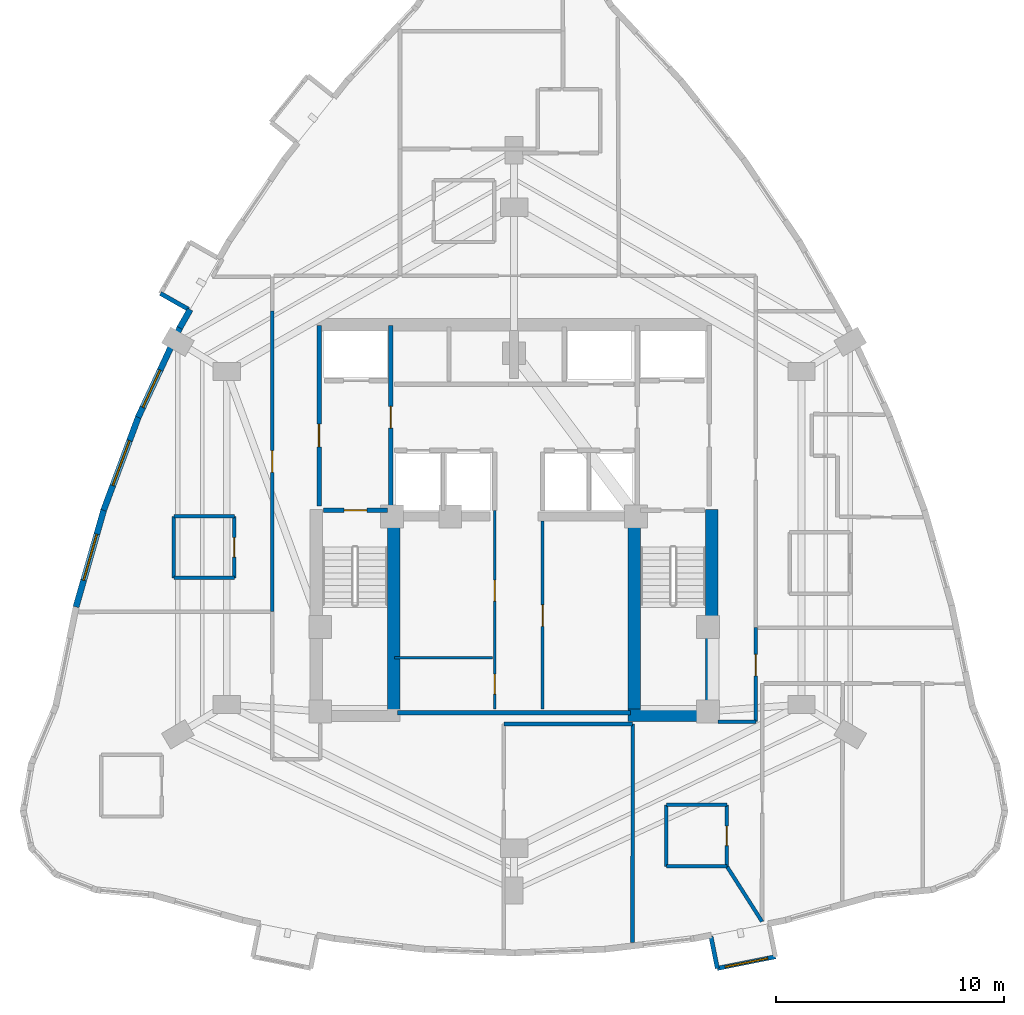
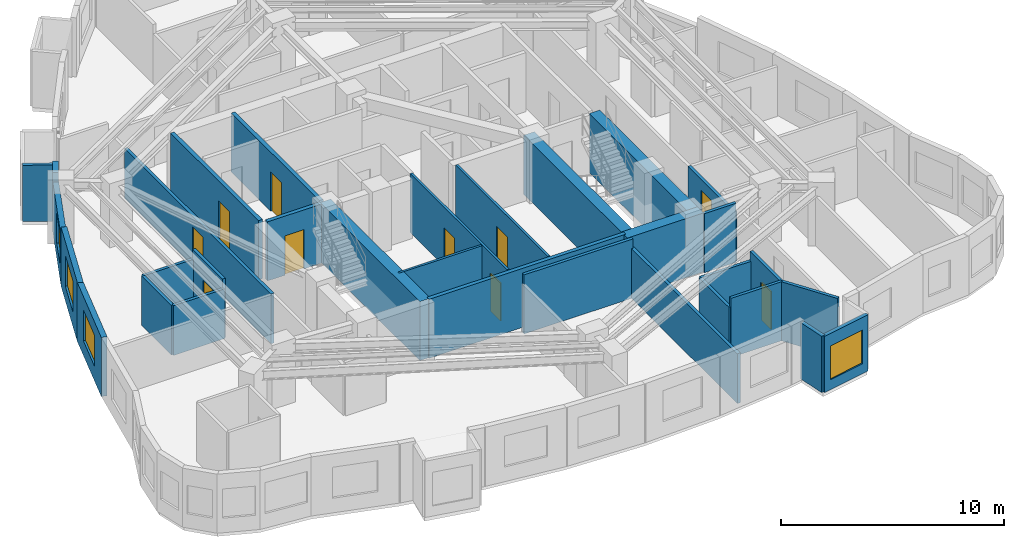
# One storey, part 7 of 12: 32 walls, 10 doors, 4 windows, 14 openings.
"""IFC4 building model written with IfcOpenShell, lengths in metres."""

from ifc_helpers import new_model, si_unit, direction, frame, frame_2d, origin, place, context, subcontext, project, spatial, rectangle, extrude, material, layer, layer_set, type_object, element, fill, save


model = new_model("IFC4")

# Units and contexts
model_context = context("Model", 3, precision=1e-05, world=origin(), true_north=direction((0.0, 1.0)))
body_context = subcontext(model_context, "Body", "Model", "MODEL_VIEW")
ifc_project = project(units=[si_unit("LENGTHUNIT", "METRE"), si_unit("AREAUNIT", "SQUARE_METRE"), si_unit("VOLUMEUNIT", "CUBIC_METRE"), si_unit("PLANEANGLEUNIT", "RADIAN"), si_unit("MASSUNIT", "GRAM", prefix="KILO")], contexts=[model_context])

# Site, building, storey
site_placement = place(None, origin())
site = spatial("IfcSite", under=ifc_project, at=site_placement, CompositionType="ELEMENT")
building_placement = place(site_placement, origin())
building = spatial("IfcBuilding", under=site, at=building_placement, Name="Miruveldt Soraemaru", CompositionType="ELEMENT")
storey_placement = place(building_placement, frame((0.0, 0.0, 145.89990234375)))
storey = spatial("IfcBuildingStorey", under=building, at=storey_placement, Name="L40", CompositionType="ELEMENT", Elevation=145.89990234375)

# Walls
ifc_material_1 = material(Name="White powder-coated aluminium EN AW-6060 T6", Category="aluminium")
ifc_layer_1 = layer(ifc_material_1, 0.18994140625, Name="White powder-coated aluminium EN AW-6060 T6", Category="aluminium")
ifc_layer_set_1 = layer_set([ifc_layer_1], Name="White powder-coated aluminium EN AW-6060 T6")
wall_type_1 = type_object("IfcWallType", Name="WALL-BAY-ALU190", PredefinedType="SOLIDWALL", material=ifc_layer_set_1)
for number, where, z_axis, x_axis, name in (
    (1, (28.497314453125, 53.82421875, 0.0), (0.0, 0.0, 1.0), (0.869799191674, -0.493405883794, 0.0), "L40 Bay Window Side Cheek 1R"),
    (2, (52.6318359375, 25.630859375, 0.0), (0.0, 0.0, 1.0), (0.196149079112, -0.980574086321, 0.0), "L40 Bay Window Side Cheek 3L"),
):
    element("IfcWall", number, at=place(storey_placement, frame(where, z_axis=z_axis, x_axis=x_axis)), inside=storey, type_object=wall_type_1, Name=name, PredefinedType="SOLIDWALL", context=body_context, shape_type="SweptSolid", body=[
        extrude(rectangle(XDim=1.425048828125, YDim=0.18994140625, at=frame_2d((0.71240234375, 0.0))), origin(), (0.0, 0.0, 1.0), 3.085205078125),
    ])

# Wall, opening, window
wall_1_placement = place(storey_placement, frame((52.911376953125, 24.2333984375, 0.0), z_axis=(0.0, 0.0, 1.0), x_axis=(0.980573452128, 0.196152249497, 0.0)))
wall_1 = element("IfcWall", 3, at=wall_1_placement, inside=storey, type_object=wall_type_1, Name="L40 Bay Window Front Frame 3", PredefinedType="SOLIDWALL", context=body_context, shape_type="SweptSolid", body=[
    extrude(rectangle(XDim=2.60009765625, YDim=0.18994140625, at=frame_2d((1.300048828125, 0.0))), origin(), (0.0, 0.0, 1.0), 3.085205078125),
])
opening_1_placement = place(wall_1_placement, frame((0.35009765625, 0.0, 0.550048828125)))
opening_1 = element("IfcOpeningElement", 4, at=opening_1_placement, cuts=wall_1, Name="Opening WN-6", PredefinedType="OPENING", context=body_context, shape_type="SweptSolid", body=[
    extrude(rectangle(XDim=1.89990234375, YDim=1.85009765625, at=frame_2d((0.949951171875, 0.925048828125))), frame((0.0, 0.10498046875, 0.0), z_axis=(0.0, -1.0, 0.0), x_axis=(1.0, 0.0, 0.0)), (0.0, 0.0, 1.0), 0.2099609375),
])
ifc_material_2 = material(Name="Triple low-e insulated glazing", Category="glass")
window_type_1 = type_object("IfcWindowType", Name="WIN-BAYW-1900x1850", PartitioningType="SINGLE_PANEL", PredefinedType="WINDOW", material=ifc_material_2)
window_1_placement = place(opening_1_placement, origin())
window_1 = element("IfcWindow", 5, at=window_1_placement, inside=storey, type_object=window_type_1, Name="L40 Projecting Bay Window 3", OverallHeight=1.85009765625, OverallWidth=1.89990234375, PartitioningType="SINGLE_PANEL", PredefinedType="WINDOW", context=body_context, shape_type="SweptSolid", body=[
    extrude(rectangle(XDim=1.89990234375, YDim=1.85009765625, at=frame_2d((0.949951171875, 0.925048828125))), frame((0.0, 0.030029296875, 0.0), z_axis=(0.0, -1.0, 0.0), x_axis=(1.0, 0.0, 0.0)), (0.0, 0.0, 1.0), 0.06005859375),
])
fill(opening_1, window_1)

# Walls
ifc_material_3 = material(Name="Concrete C70/85 (70 MPa)", Category="concrete")
ifc_layer_2 = layer(ifc_material_3, 0.550048828125, Name="Concrete C70/85 (70 MPa)", Category="concrete")
ifc_layer_set_2 = layer_set([ifc_layer_2], Name="Concrete C70/85 (70 MPa)")
wall_type_2 = type_object("IfcWallType", Name="WALL-CW-550", PredefinedType="SHEAR", material=ifc_layer_set_2)
wall_2_placement = place(storey_placement, frame((49.0, 35.324951171875, 0.0), z_axis=(0.0, 0.0, 1.0), x_axis=(1.0, 0.0, 0.0)))
element("IfcWall", 6, at=wall_2_placement, inside=storey, type_object=wall_type_2, Name="L40 Central Core Shear Wall S2", PredefinedType="SHEAR", context=body_context, shape_type="SweptSolid", body=[
    extrude(rectangle(XDim=3.949951171875, YDim=0.550048828125, at=frame_2d((1.97509765625, 0.0))), origin(), (0.0, 0.0, 1.0), 3.235107421875),
])
wall_3_placement = place(storey_placement, frame((52.675048828125, 35.050048828125, 0.0), z_axis=(0.0, 0.0, 1.0), x_axis=(0.0, 1.0, 0.0)))
element("IfcWall", 7, at=wall_3_placement, inside=storey, type_object=wall_type_2, Name="L40 Central Core Shear Wall E1", PredefinedType="SHEAR", context=body_context, shape_type="SweptSolid", body=[
    extrude(rectangle(XDim=9.300048828125, YDim=0.550048828125, at=frame_2d((4.64990234375, 0.0))), origin(), (0.0, 0.0, 1.0), 3.235107421875),
])
for number, where, z_axis, x_axis, name in (
    (8, (38.72509765625, 35.39990234375, 0.0), (0.0, 0.0, 1.0), (0.0, 1.0, 0.0), "L40 Central Core Shear Wall SW-INT"),
    (9, (49.27490234375, 35.39990234375, 0.0), (0.0, 0.0, 1.0), (0.0, 1.0, 0.0), "L40 Central Core Shear Wall SE-INT"),
):
    element("IfcWall", number, at=place(storey_placement, frame(where, z_axis=z_axis, x_axis=x_axis)), inside=storey, type_object=wall_type_2, Name=name, PredefinedType="SHEAR", context=body_context, shape_type="SweptSolid", body=[
        extrude(rectangle(XDim=8.9501953125, YDim=0.550048828125, at=frame_2d((4.47509765625, 0.0))), origin(), (0.0, 0.0, 1.0), 3.235107421875),
    ])
ifc_material_4 = material(Name="Precast concrete C45/55 (45 MPa)", Category="concrete")
ifc_layer_3 = layer(ifc_material_4, 0.27001953125, Name="Precast concrete C45/55 (45 MPa)", Category="concrete")
ifc_layer_set_3 = layer_set([ifc_layer_3], Name="Precast concrete C45/55 (45 MPa)")
wall_type_3 = type_object("IfcWallType", Name="WALL-EXT-PC270", PredefinedType="SOLIDWALL", material=ifc_layer_set_3)
wall_4_placement = place(storey_placement, frame((29.79931640625, 53.1201171875, 0.0), z_axis=(0.0, 0.0, 1.0), x_axis=(-0.493298443783, -0.869860129769, 0.0)))
element("IfcWall", 10, at=wall_4_placement, inside=storey, type_object=wall_type_3, Name="L40 Precast Pier Wall 10B", PredefinedType="SOLIDWALL", context=body_context, shape_type="SweptSolid", body=[
    extrude(rectangle(XDim=0.926513671875, YDim=0.27001953125, at=frame_2d((0.46337890625, 0.0))), origin(), (0.0, 0.0, 1.0), 3.235107421875),
])

# Wall, opening, window
wall_5_placement = place(storey_placement, frame((29.374267578125, 52.37646484375, 0.0), z_axis=(0.0, 0.0, 1.0), x_axis=(-0.422276858634, -0.906466907649, 0.0)))
wall_5 = element("IfcWall", 11, at=wall_5_placement, inside=storey, type_object=wall_type_3, Name="L40 Precast Concrete Facade Wall 11", PredefinedType="SOLIDWALL", context=body_context, shape_type="SweptSolid", body=[
    extrude(rectangle(XDim=4.392822265625, YDim=0.27001953125, at=frame_2d((2.1962890625, 0.0))), origin(), (0.0, 0.0, 1.0), 2.735107421875),
])
opening_2_placement = place(wall_5_placement, frame((2.110107421875, 0.0, 0.800048828125)))
opening_2 = element("IfcOpeningElement", 12, at=opening_2_placement, cuts=wall_5, Name="Opening WN-2", PredefinedType="OPENING", context=body_context, shape_type="SweptSolid", body=[
    extrude(rectangle(XDim=1.800048828125, YDim=1.64990234375, at=frame_2d((0.89990234375, 0.824951171875))), frame((0.0, 0.14501953125, 0.0), z_axis=(0.0, -1.0, 0.0), x_axis=(1.0, 0.0, 0.0)), (0.0, 0.0, 1.0), 0.2900390625),
])
window_type_2 = type_object("IfcWindowType", Name="WIN-PUNCH-1800x1650", PartitioningType="SINGLE_PANEL", PredefinedType="WINDOW", material=ifc_material_2)
window_2_placement = place(opening_2_placement, origin())
window_2 = element("IfcWindow", 13, at=window_2_placement, inside=storey, type_object=window_type_2, Name="L40 Punched Triple-Glazed Window 11.1", OverallHeight=1.64990234375, OverallWidth=1.800048828125, PartitioningType="SINGLE_PANEL", PredefinedType="WINDOW", context=body_context, shape_type="SweptSolid", body=[
    extrude(rectangle(XDim=1.800048828125, YDim=1.64990234375, at=frame_2d((0.89990234375, 0.824951171875))), frame((0.0, 0.030029296875, 0.0), z_axis=(0.0, -1.0, 0.0), x_axis=(1.0, 0.0, 0.0)), (0.0, 0.0, 1.0), 0.06005859375),
])
fill(opening_2, window_2)

wall_6_placement = place(storey_placement, frame((27.546142578125, 48.458984375, 0.0), z_axis=(0.0, 0.0, 1.0), x_axis=(-0.348992055051, -0.937125682879, 0.0)))
wall_6 = element("IfcWall", 14, at=wall_6_placement, inside=storey, type_object=wall_type_3, Name="L40 Precast Concrete Facade Wall 12", PredefinedType="SOLIDWALL", context=body_context, shape_type="SweptSolid", body=[
    extrude(rectangle(XDim=4.42041015625, YDim=0.27001953125, at=frame_2d((2.210205078125, 0.0))), origin(), (0.0, 0.0, 1.0), 3.235107421875),
])
opening_3_placement = place(wall_6_placement, frame((1.159912109375, 0.0, 0.800048828125)))
opening_3 = element("IfcOpeningElement", 15, at=opening_3_placement, cuts=wall_6, Name="Opening WN-1", PredefinedType="OPENING", context=body_context, shape_type="SweptSolid", body=[
    extrude(rectangle(XDim=2.10009765625, YDim=1.699951171875, at=frame_2d((1.050048828125, 0.85009765625))), frame((0.0, 0.14501953125, 0.0), z_axis=(0.0, -1.0, 0.0), x_axis=(1.0, 0.0, 0.0)), (0.0, 0.0, 1.0), 0.2900390625),
])
window_type_3 = type_object("IfcWindowType", Name="WIN-PUNCH-2100x1700", PartitioningType="SINGLE_PANEL", PredefinedType="WINDOW", material=ifc_material_2)
window_3_placement = place(opening_3_placement, origin())
window_3 = element("IfcWindow", 16, at=window_3_placement, inside=storey, type_object=window_type_3, Name="L40 Punched Triple-Glazed Window 12.1", OverallHeight=1.699951171875, OverallWidth=2.10009765625, PartitioningType="SINGLE_PANEL", PredefinedType="WINDOW", context=body_context, shape_type="SweptSolid", body=[
    extrude(rectangle(XDim=2.10009765625, YDim=1.699951171875, at=frame_2d((1.050048828125, 0.85009765625))), frame((0.0, 0.030029296875, 0.0), z_axis=(0.0, -1.0, 0.0), x_axis=(1.0, 0.0, 0.0)), (0.0, 0.0, 1.0), 0.06005859375),
])
fill(opening_3, window_3)

wall_7_placement = place(storey_placement, frame((26.025146484375, 44.383056640625, 0.0), z_axis=(0.0, 0.0, 1.0), x_axis=(-0.274951687452, -0.961458043581, 0.0)))
wall_7 = element("IfcWall", 17, at=wall_7_placement, inside=storey, type_object=wall_type_3, Name="L40 Precast Concrete Facade Wall 13", PredefinedType="SOLIDWALL", context=body_context, shape_type="SweptSolid", body=[
    extrude(rectangle(XDim=4.47509765625, YDim=0.27001953125, at=frame_2d((2.237548828125, 0.0))), origin(), (0.0, 0.0, 1.0), 3.235107421875),
])
opening_4_placement = place(wall_7_placement, frame((1.157958984375, 0.0, 0.800048828125)))
opening_4 = element("IfcOpeningElement", 18, at=opening_4_placement, cuts=wall_7, Name="Opening WN-1", PredefinedType="OPENING", context=body_context, shape_type="SweptSolid", body=[
    extrude(rectangle(XDim=2.10009765625, YDim=1.699951171875, at=frame_2d((1.050048828125, 0.85009765625))), frame((0.0, 0.14501953125, 0.0), z_axis=(0.0, -1.0, 0.0), x_axis=(1.0, 0.0, 0.0)), (0.0, 0.0, 1.0), 0.2900390625),
])
window_4_placement = place(opening_4_placement, origin())
window_4 = element("IfcWindow", 19, at=window_4_placement, inside=storey, type_object=window_type_3, Name="L40 Punched Triple-Glazed Window 13.1", OverallHeight=1.699951171875, OverallWidth=2.10009765625, PartitioningType="SINGLE_PANEL", PredefinedType="WINDOW", context=body_context, shape_type="SweptSolid", body=[
    extrude(rectangle(XDim=2.10009765625, YDim=1.699951171875, at=frame_2d((1.050048828125, 0.85009765625))), frame((0.0, 0.030029296875, 0.0), z_axis=(0.0, -1.0, 0.0), x_axis=(1.0, 0.0, 0.0)), (0.0, 0.0, 1.0), 0.06005859375),
])
fill(opening_4, window_4)

# Wall, openings, doors
ifc_material_5 = material(Name="Gypsum plasterboard lining", Category="gypsum")
ifc_layer_4 = layer(ifc_material_5, 0.1201171875, Name="Gypsum plasterboard lining", Category="gypsum")
ifc_layer_set_4 = layer_set([ifc_layer_4], Name="Gypsum plasterboard lining")
wall_type_4 = type_object("IfcWallType", Name="WALL-INT-P120", PredefinedType="PARTITIONING", material=ifc_layer_set_4)
wall_8_placement = place(storey_placement, frame((43.14990234375, 35.60009765625, 0.0), z_axis=(0.0, 0.0, 1.0), x_axis=(0.0, 1.0, 0.0)))
wall_8 = element("IfcWall", 20, at=wall_8_placement, inside=storey, type_object=wall_type_4, Name="L40 Core Compartment Wall SP-WL", PredefinedType="PARTITIONING", context=body_context, shape_type="SweptSolid", body=[
    extrude(rectangle(XDim=8.699951171875, YDim=0.1201171875, at=frame_2d((4.35009765625, 0.0))), origin(), (0.0, 0.0, 1.0), 3.235107421875),
])
opening_5_placement = place(wall_8_placement, frame((0.659912109375, 0.0, 0.0)))
opening_5 = element("IfcOpeningElement", 21, at=opening_5_placement, cuts=wall_8, Name="Opening D4", PredefinedType="OPENING", context=body_context, shape_type="SweptSolid", body=[
    extrude(rectangle(XDim=0.8798828125, YDim=2.10009765625, at=frame_2d((0.43994140625, 1.050048828125))), frame((0.0, 0.070068359375, 0.0), z_axis=(0.0, -1.0, 0.0), x_axis=(1.0, 0.0, 0.0)), (0.0, 0.0, 1.0), 0.14013671875),
])
opening_6_placement = place(wall_8_placement, frame((4.739990234375, 0.0, 0.0)))
opening_6 = element("IfcOpeningElement", 22, at=opening_6_placement, cuts=wall_8, Name="Opening D3A", PredefinedType="OPENING", context=body_context, shape_type="SweptSolid", body=[
    extrude(rectangle(XDim=0.919921875, YDim=2.10009765625, at=frame_2d((0.4599609375, 1.050048828125))), frame((0.0, 0.070068359375, 0.0), z_axis=(0.0, -1.0, 0.0), x_axis=(1.0, 0.0, 0.0)), (0.0, 0.0, 1.0), 0.14013671875),
])
ifc_material_6 = material(Name="Anodised aluminium EN AW-6063 T6", Category="aluminium")
door_type_1 = type_object("IfcDoorType", Name="DOOR-INT-880", OperationType="NOTDEFINED", PredefinedType="DOOR", material=ifc_material_6)
door_1_placement = place(opening_5_placement, origin())
door_1 = element("IfcDoor", 23, at=door_1_placement, inside=storey, type_object=door_type_1, Name="L40 Fire Door", OperationType="SINGLE_SWING_LEFT", OverallHeight=2.10009765625, OverallWidth=0.8798828125, PredefinedType="DOOR", context=body_context, shape_type="SweptSolid", body=[
    extrude(rectangle(XDim=0.8798828125, YDim=2.10009765625, at=frame_2d((0.43994140625, 1.050048828125))), frame((0.0, 0.02490234375, 0.0), z_axis=(0.0, -1.0, 0.0), x_axis=(1.0, 0.0, 0.0)), (0.0, 0.0, 1.0), 0.050048828125),
])
fill(opening_5, door_1)
door_type_2 = type_object("IfcDoorType", Name="DOOR-INT-920", OperationType="NOTDEFINED", PredefinedType="DOOR", material=ifc_material_6)
door_2_placement = place(opening_6_placement, origin())
door_2 = element("IfcDoor", 24, at=door_2_placement, inside=storey, type_object=door_type_2, Name="L40 Fire Door", OperationType="SINGLE_SWING_LEFT", OverallHeight=2.10009765625, OverallWidth=0.919921875, PredefinedType="DOOR", context=body_context, shape_type="SweptSolid", body=[
    extrude(rectangle(XDim=0.919921875, YDim=2.10009765625, at=frame_2d((0.4599609375, 1.050048828125))), frame((0.0, 0.02490234375, 0.0), z_axis=(0.0, -1.0, 0.0), x_axis=(1.0, 0.0, 0.0)), (0.0, 0.0, 1.0), 0.050048828125),
])
fill(opening_6, door_2)

# Wall, opening, door
wall_9_placement = place(storey_placement, frame((45.25, 35.60009765625, 0.0), z_axis=(0.0, 0.0, 1.0), x_axis=(0.0, 1.0, 0.0)))
wall_9 = element("IfcWall", 25, at=wall_9_placement, inside=storey, type_object=wall_type_4, Name="L40 Core Compartment Wall SP-EL", PredefinedType="PARTITIONING", context=body_context, shape_type="SweptSolid", body=[
    extrude(rectangle(XDim=8.25, YDim=0.1201171875, at=frame_2d((4.125, 0.0))), origin(), (0.0, 0.0, 1.0), 3.235107421875),
])
opening_7_placement = place(wall_9_placement, frame((3.625, 0.0, 0.0)))
opening_7 = element("IfcOpeningElement", 26, at=opening_7_placement, cuts=wall_9, Name="Opening D2", PredefinedType="OPENING", context=body_context, shape_type="SweptSolid", body=[
    extrude(rectangle(XDim=0.949951171875, YDim=2.10009765625, at=frame_2d((0.47509765625, 1.050048828125))), frame((0.0, 0.070068359375, 0.0), z_axis=(0.0, -1.0, 0.0), x_axis=(1.0, 0.0, 0.0)), (0.0, 0.0, 1.0), 0.14013671875),
])
door_type_3 = type_object("IfcDoorType", Name="DOOR-INT-950", OperationType="NOTDEFINED", PredefinedType="DOOR", material=ifc_material_6)
door_3_placement = place(opening_7_placement, origin())
door_3 = element("IfcDoor", 27, at=door_3_placement, inside=storey, type_object=door_type_3, Name="L40 Fire Door", OperationType="SINGLE_SWING_LEFT", OverallHeight=2.10009765625, OverallWidth=0.949951171875, PredefinedType="DOOR", context=body_context, shape_type="SweptSolid", body=[
    extrude(rectangle(XDim=0.949951171875, YDim=2.10009765625, at=frame_2d((0.47509765625, 1.050048828125))), frame((0.0, 0.02490234375, 0.0), z_axis=(0.0, -1.0, 0.0), x_axis=(1.0, 0.0, 0.0)), (0.0, 0.0, 1.0), 0.050048828125),
])
fill(opening_7, door_3)

# Wall
wall_10_placement = place(storey_placement, frame((38.75, 37.85009765625, 0.0), z_axis=(0.0, 0.0, 1.0), x_axis=(1.0, 0.0, 0.0)))
element("IfcWall", 28, at=wall_10_placement, inside=storey, type_object=wall_type_4, Name="L40 Core Compartment Wall RL-W1H", PredefinedType="PARTITIONING", context=body_context, shape_type="SweptSolid", body=[
    extrude(rectangle(XDim=4.300048828125, YDim=0.1201171875, at=frame_2d((2.14990234375, 0.0))), origin(), (0.0, 0.0, 1.0), 3.235107421875),
])

# Wall, opening, door
ifc_layer_5 = layer(ifc_material_5, 0.14990234375, Name="Gypsum plasterboard lining", Category="gypsum")
ifc_layer_set_5 = layer_set([ifc_layer_5], Name="Gypsum plasterboard lining")
wall_type_5 = type_object("IfcWallType", Name="WALL-INT-PLUMB", PredefinedType="PLUMBINGWALL", material=ifc_layer_set_5)
wall_11_placement = place(storey_placement, frame((31.737060546875, 41.35498046875, 0.0), z_axis=(0.0, 0.0, 1.0), x_axis=(0.0, 1.0, 0.0)))
wall_11 = element("IfcWall", 29, at=wall_11_placement, inside=storey, type_object=wall_type_5, Name="L40 Partition Wall 38", PredefinedType="PLUMBINGWALL", context=body_context, shape_type="SweptSolid", body=[
    extrude(rectangle(XDim=2.699951171875, YDim=0.14990234375, at=frame_2d((1.35009765625, 0.0))), origin(), (0.0, 0.0, 1.0), 3.235107421875),
])
opening_8_placement = place(wall_11_placement, frame((0.909912109375, 0.0, 0.0)))
opening_8 = element("IfcOpeningElement", 30, at=opening_8_placement, cuts=wall_11, Name="Opening FD3", PredefinedType="OPENING", context=body_context, shape_type="SweptSolid", body=[
    extrude(rectangle(XDim=0.85009765625, YDim=2.10009765625, at=frame_2d((0.425048828125, 1.050048828125))), frame((0.0, 0.0849609375, 0.0), z_axis=(0.0, -1.0, 0.0), x_axis=(1.0, 0.0, 0.0)), (0.0, 0.0, 1.0), 0.169921875),
])
door_type_4 = type_object("IfcDoorType", Name="DOOR-FD3-850", OperationType="NOTDEFINED", PredefinedType="DOOR", material=ifc_material_6)
door_4_placement = place(opening_8_placement, origin())
door_4 = element("IfcDoor", 31, at=door_4_placement, inside=storey, type_object=door_type_4, Name="L40 Unit CL05 BTH Door", OperationType="SINGLE_SWING_LEFT", OverallHeight=2.10009765625, OverallWidth=0.85009765625, PredefinedType="DOOR", context=body_context, shape_type="SweptSolid", body=[
    extrude(rectangle(XDim=0.85009765625, YDim=2.10009765625, at=frame_2d((0.425048828125, 1.050048828125))), frame((0.0, 0.02490234375, 0.0), z_axis=(0.0, -1.0, 0.0), x_axis=(1.0, 0.0, 0.0)), (0.0, 0.0, 1.0), 0.050048828125),
])
fill(opening_8, door_4)

wall_12_placement = place(storey_placement, frame((53.330078125, 28.70703125, 0.0), z_axis=(0.0, 0.0, 1.0), x_axis=(0.0, 1.0, 0.0)))
wall_12 = element("IfcWall", 32, at=wall_12_placement, inside=storey, type_object=wall_type_5, Name="L40 Partition Wall 42", PredefinedType="PLUMBINGWALL", context=body_context, shape_type="SweptSolid", body=[
    extrude(rectangle(XDim=2.699951171875, YDim=0.14990234375, at=frame_2d((1.35009765625, 0.0))), origin(), (0.0, 0.0, 1.0), 3.235107421875),
])
opening_9_placement = place(wall_12_placement, frame((0.909912109375, 0.0, 0.0)))
opening_9 = element("IfcOpeningElement", 33, at=opening_9_placement, cuts=wall_12, Name="Opening FD3", PredefinedType="OPENING", context=body_context, shape_type="SweptSolid", body=[
    extrude(rectangle(XDim=0.85009765625, YDim=2.10009765625, at=frame_2d((0.425048828125, 1.050048828125))), frame((0.0, 0.0849609375, 0.0), z_axis=(0.0, -1.0, 0.0), x_axis=(1.0, 0.0, 0.0)), (0.0, 0.0, 1.0), 0.169921875),
])
door_5_placement = place(opening_9_placement, origin())
door_5 = element("IfcDoor", 34, at=door_5_placement, inside=storey, type_object=door_type_4, Name="L40 Unit 4006 BTH Door", OperationType="SINGLE_SWING_LEFT", OverallHeight=2.10009765625, OverallWidth=0.85009765625, PredefinedType="DOOR", context=body_context, shape_type="SweptSolid", body=[
    extrude(rectangle(XDim=0.85009765625, YDim=2.10009765625, at=frame_2d((0.425048828125, 1.050048828125))), frame((0.0, 0.02490234375, 0.0), z_axis=(0.0, -1.0, 0.0), x_axis=(1.0, 0.0, 0.0)), (0.0, 0.0, 1.0), 0.050048828125),
])
fill(opening_9, door_5)

# Walls
for number, where, z_axis, x_axis, name in (
    (35, (29.0869140625, 44.054931640625, 0.0), (0.0, 0.0, 1.0), (0.0, -1.0, 0.0), "L40 Partition Wall 40"),
    (36, (50.679931640625, 31.406982421875, 0.0), (0.0, 0.0, 1.0), (0.0, -1.0, 0.0), "L40 Partition Wall 44"),
):
    element("IfcWall", number, at=place(storey_placement, frame(where, z_axis=z_axis, x_axis=x_axis)), inside=storey, type_object=wall_type_5, Name=name, PredefinedType="PLUMBINGWALL", context=body_context, shape_type="SweptSolid", body=[
        extrude(rectangle(XDim=2.699951171875, YDim=0.14990234375, at=frame_2d((1.35009765625, 0.0))), origin(), (0.0, 0.0, 1.0), 2.72314453125),
    ])
for number, where, z_axis, x_axis, name in (
    (37, (31.737060546875, 44.054931640625, 0.0), (0.0, 0.0, 1.0), (-1.0, 0.0, 0.0), "L40 Partition Wall 39"),
    (38, (29.0869140625, 41.35498046875, 0.0), (0.0, 0.0, 1.0), (1.0, 0.0, 0.0), "L40 Partition Wall 41"),
    (39, (53.330078125, 31.406982421875, 0.0), (0.0, 0.0, 1.0), (-1.0, 0.0, 0.0), "L40 Partition Wall 43"),
):
    element("IfcWall", number, at=place(storey_placement, frame(where, z_axis=z_axis, x_axis=x_axis)), inside=storey, type_object=wall_type_5, Name=name, PredefinedType="PLUMBINGWALL", context=body_context, shape_type="SweptSolid", body=[
        extrude(rectangle(XDim=2.650146484375, YDim=0.14990234375, at=frame_2d((1.3251953125, 0.0))), origin(), (0.0, 0.0, 1.0), 2.72314453125),
    ])
wall_13_placement = place(storey_placement, frame((50.679931640625, 28.70703125, 0.0), z_axis=(0.0, 0.0, 1.0), x_axis=(1.0, 0.0, 0.0)))
element("IfcWall", 40, at=wall_13_placement, inside=storey, type_object=wall_type_5, Name="L40 Partition Wall 45", PredefinedType="PLUMBINGWALL", context=body_context, shape_type="SweptSolid", body=[
    extrude(rectangle(XDim=2.650146484375, YDim=0.14990234375, at=frame_2d((1.3251953125, 0.0))), origin(), (0.0, 0.0, 1.0), 3.235107421875),
])

# Wall, opening, door
ifc_material_7 = material(Name="Concrete C40/50 (40 MPa)", Category="concrete")
ifc_layer_6 = layer(ifc_material_7, 0.159912109375, Name="Concrete C40/50 (40 MPa)", Category="concrete")
ifc_layer_set_6 = layer_set([ifc_layer_6], Name="Concrete C40/50 (40 MPa)")
wall_type_6 = type_object("IfcWallType", Name="WALL-INT-RC160", PredefinedType="SOLIDWALL", material=ifc_layer_set_6)
wall_14_placement = place(storey_placement, frame((33.39990234375, 53.044921875, 0.0), z_axis=(0.0, 0.0, 1.0), x_axis=(0.0, -1.0, 0.0)))
wall_14 = element("IfcWall", 41, at=wall_14_placement, inside=storey, type_object=wall_type_6, Name="L40 Partition Wall 9", PredefinedType="SOLIDWALL", context=body_context, shape_type="SweptSolid", body=[
    extrude(rectangle(XDim=13.169921875, YDim=0.159912109375, at=frame_2d((6.5849609375, 0.0))), origin(), (0.0, 0.0, 1.0), 2.735107421875),
])
opening_10_placement = place(wall_14_placement, frame((6.110107421875, 0.0, 0.0)))
opening_10 = element("IfcOpeningElement", 42, at=opening_10_placement, cuts=wall_14, Name="Opening FD2", PredefinedType="OPENING", context=body_context, shape_type="SweptSolid", body=[
    extrude(rectangle(XDim=0.949951171875, YDim=2.14990234375, at=frame_2d((0.47509765625, 1.074951171875))), frame((0.0, 0.08984375, 0.0), z_axis=(0.0, -1.0, 0.0), x_axis=(1.0, 0.0, 0.0)), (0.0, 0.0, 1.0), 0.179931640625),
])
door_type_5 = type_object("IfcDoorType", Name="DOOR-FD2-950", OperationType="NOTDEFINED", PredefinedType="DOOR", material=ifc_material_6)
door_6_placement = place(opening_10_placement, origin())
door_6 = element("IfcDoor", 43, at=door_6_placement, inside=storey, type_object=door_type_5, Name="L40 Unit CL05 Entrance Fire Door", OperationType="SINGLE_SWING_RIGHT", OverallHeight=2.14990234375, OverallWidth=0.949951171875, PredefinedType="DOOR", context=body_context, shape_type="SweptSolid", body=[
    extrude(rectangle(XDim=0.949951171875, YDim=2.14990234375, at=frame_2d((0.47509765625, 1.074951171875))), frame((0.0, 0.02490234375, 0.0), z_axis=(0.0, -1.0, 0.0), x_axis=(1.0, 0.0, 0.0)), (0.0, 0.0, 1.0), 0.050048828125),
])
fill(opening_10, door_6)

wall_15_placement = place(storey_placement, frame((54.60009765625, 35.050048828125, 0.0), z_axis=(0.0, 0.0, 1.0), x_axis=(0.0, 1.0, 0.0)))
wall_15 = element("IfcWall", 44, at=wall_15_placement, inside=storey, type_object=wall_type_6, Name="L40 Partition Wall 11", PredefinedType="SOLIDWALL", context=body_context, shape_type="SweptSolid", body=[
    extrude(rectangle(XDim=4.120849609375, YDim=0.159912109375, at=frame_2d((2.060546875, 0.0))), origin(), (0.0, 0.0, 1.0), 2.735107421875),
])
opening_11_placement = place(wall_15_placement, frame((2.0048828125, 0.0, 0.0)))
opening_11 = element("IfcOpeningElement", 45, at=opening_11_placement, cuts=wall_15, Name="Opening FD2", PredefinedType="OPENING", context=body_context, shape_type="SweptSolid", body=[
    extrude(rectangle(XDim=0.949951171875, YDim=2.14990234375, at=frame_2d((0.47509765625, 1.074951171875))), frame((0.0, 0.08984375, 0.0), z_axis=(0.0, -1.0, 0.0), x_axis=(1.0, 0.0, 0.0)), (0.0, 0.0, 1.0), 0.179931640625),
])
door_7_placement = place(opening_11_placement, origin())
door_7 = element("IfcDoor", 46, at=door_7_placement, inside=storey, type_object=door_type_5, Name="L40 Unit 4006 Entrance Fire Door", OperationType="SINGLE_SWING_RIGHT", OverallHeight=2.14990234375, OverallWidth=0.949951171875, PredefinedType="DOOR", context=body_context, shape_type="SweptSolid", body=[
    extrude(rectangle(XDim=0.949951171875, YDim=2.14990234375, at=frame_2d((0.47509765625, 1.074951171875))), frame((0.0, 0.02490234375, 0.0), z_axis=(0.0, -1.0, 0.0), x_axis=(1.0, 0.0, 0.0)), (0.0, 0.0, 1.0), 0.050048828125),
])
fill(opening_11, door_7)

# Walls
wall_16_placement = place(storey_placement, frame((49.19189453125, 25.367919921875, 0.0), z_axis=(0.0, 0.0, 1.0), x_axis=(0.000841064031, 0.999999646306, 0.0)))
element("IfcWall", 47, at=wall_16_placement, inside=storey, type_object=wall_type_6, Name="L40 Partition Wall 37", PredefinedType="SOLIDWALL", context=body_context, shape_type="SweptSolid", body=[
    extrude(rectangle(XDim=9.5791015625, YDim=0.159912109375, at=frame_2d((4.78955078125, 0.0))), origin(), (0.0, 0.0, 1.0), 2.72314453125),
])
wall_17_placement = place(storey_placement, frame((43.549072265625, 34.949951171875, 0.0), z_axis=(0.0, 0.0, 1.0), x_axis=(1.0, 0.0, 0.0)))
element("IfcWall", 48, at=wall_17_placement, inside=storey, type_object=wall_type_6, Name="L40 Partition Wall 62", PredefinedType="SOLIDWALL", context=body_context, shape_type="SweptSolid", body=[
    extrude(rectangle(XDim=5.64599609375, YDim=0.159912109375, at=frame_2d((2.822998046875, 0.0))), origin(), (0.0, 0.0, 1.0), 3.235107421875),
])
wall_18_placement = place(storey_placement, frame((54.8701171875, 26.2880859375, 0.0), z_axis=(0.0, 0.0, 1.0), x_axis=(-0.537051766628, 0.843549287215, 0.0)))
element("IfcWall", 49, at=wall_18_placement, inside=storey, type_object=wall_type_6, Name="L40 Partition Closure Return 1", PredefinedType="SOLIDWALL", context=body_context, shape_type="SweptSolid", body=[
    extrude(rectangle(XDim=2.86767578125, YDim=0.159912109375, at=frame_2d((1.433837890625, 0.0))), origin(), (0.0, 0.0, 1.0), 3.235107421875),
])
wall_19_placement = place(storey_placement, frame((52.946044921875, 35.050048828125, 0.0), z_axis=(0.0, 0.0, 1.0), x_axis=(1.0, 0.0, 0.0)))
element("IfcWall", 50, at=wall_19_placement, inside=storey, type_object=wall_type_6, Name="L40 Partition Wall 10", PredefinedType="SOLIDWALL", context=body_context, shape_type="SweptSolid", body=[
    extrude(rectangle(XDim=1.654052734375, YDim=0.159912109375, at=frame_2d((0.8271484375, 0.0))), origin(), (0.0, 0.0, 1.0), 3.235107421875),
])

# Wall, opening, door
ifc_layer_7 = layer(ifc_material_7, 0.199951171875, Name="Concrete C40/50 (40 MPa)", Category="concrete")
ifc_layer_set_7 = layer_set([ifc_layer_7], Name="Concrete C40/50 (40 MPa)")
wall_type_7 = type_object("IfcWallType", Name="WALL-INT-RC200", PredefinedType="SOLIDWALL", material=ifc_layer_set_7)
wall_20_placement = place(storey_placement, frame((35.449951171875, 44.5, 0.0), z_axis=(0.0, 0.0, 1.0), x_axis=(0.0, 1.0, 0.0)))
wall_20 = element("IfcWall", 51, at=wall_20_placement, inside=storey, type_object=wall_type_7, Name="L40 Core Compartment Wall FFW-OUT", PredefinedType="SOLIDWALL", context=body_context, shape_type="SweptSolid", body=[
    extrude(rectangle(XDim=7.919921875, YDim=0.199951171875, at=frame_2d((3.9599609375, 0.0))), origin(), (0.0, 0.0, 1.0), 3.235107421875),
])
opening_12_placement = place(wall_20_placement, frame((2.60009765625, 0.0, 0.0)))
opening_12 = element("IfcOpeningElement", 52, at=opening_12_placement, cuts=wall_20, Name="Opening FD1", PredefinedType="OPENING", context=body_context, shape_type="SweptSolid", body=[
    extrude(rectangle(XDim=1.0, YDim=2.14990234375, at=frame_2d((0.5, 1.074951171875))), frame((0.0, 0.10986328125, 0.0), z_axis=(0.0, -1.0, 0.0), x_axis=(1.0, 0.0, 0.0)), (0.0, 0.0, 1.0), 0.219970703125),
])
door_type_6 = type_object("IfcDoorType", Name="DOOR-FD1-1000", OperationType="NOTDEFINED", PredefinedType="DOOR", material=ifc_material_6)
door_8_placement = place(opening_12_placement, origin())
door_8 = element("IfcDoor", 53, at=door_8_placement, inside=storey, type_object=door_type_6, Name="L40 West Firefighting Lobby Exit Door", OperationType="SINGLE_SWING_LEFT", OverallHeight=2.14990234375, OverallWidth=1.0, PredefinedType="DOOR", context=body_context, shape_type="SweptSolid", body=[
    extrude(rectangle(XDim=1.0, YDim=2.14990234375, at=frame_2d((0.5, 1.074951171875))), frame((0.0, 0.02490234375, 0.0), z_axis=(0.0, -1.0, 0.0), x_axis=(1.0, 0.0, 0.0)), (0.0, 0.0, 1.0), 0.050048828125),
])
fill(opening_12, door_8)

wall_21_placement = place(storey_placement, frame((38.60009765625, 44.5, 0.0), z_axis=(0.0, 0.0, 1.0), x_axis=(0.0, 1.0, 0.0)))
wall_21 = element("IfcWall", 54, at=wall_21_placement, inside=storey, type_object=wall_type_7, Name="L40 Core Compartment Wall FFW-IN", PredefinedType="SOLIDWALL", context=body_context, shape_type="SweptSolid", body=[
    extrude(rectangle(XDim=7.919921875, YDim=0.199951171875, at=frame_2d((3.9599609375, 0.0))), origin(), (0.0, 0.0, 1.0), 3.235107421875),
])
opening_13_placement = place(wall_21_placement, frame((3.425048828125, 0.0, 0.0)))
opening_13 = element("IfcOpeningElement", 55, at=opening_13_placement, cuts=wall_21, Name="Opening FD2", PredefinedType="OPENING", context=body_context, shape_type="SweptSolid", body=[
    extrude(rectangle(XDim=0.949951171875, YDim=2.14990234375, at=frame_2d((0.47509765625, 1.074951171875))), frame((0.0, 0.10986328125, 0.0), z_axis=(0.0, -1.0, 0.0), x_axis=(1.0, 0.0, 0.0)), (0.0, 0.0, 1.0), 0.219970703125),
])
door_9_placement = place(opening_13_placement, frame((0.949951171875, 0.0, 0.0), z_axis=(0.0, 0.0, 1.0), x_axis=(-1.0, 0.0, 0.0)))
door_9 = element("IfcDoor", 56, at=door_9_placement, inside=storey, type_object=door_type_5, Name="L40 Lift Lobby to West Fire Lobby Door", OperationType="SINGLE_SWING_RIGHT", OverallHeight=2.14990234375, OverallWidth=0.949951171875, PredefinedType="DOOR", context=body_context, shape_type="SweptSolid", body=[
    extrude(rectangle(XDim=0.949951171875, YDim=2.14990234375, at=frame_2d((0.47509765625, 1.074951171875))), frame((0.0, 0.02490234375, 0.0), z_axis=(0.0, -1.0, 0.0), x_axis=(1.0, 0.0, 0.0)), (0.0, 0.0, 1.0), 0.050048828125),
])
fill(opening_13, door_9)

wall_22_placement = place(storey_placement, frame((35.64990234375, 44.320068359375, 0.0), z_axis=(0.0, 0.0, 1.0), x_axis=(1.0, 0.0, 0.0)))
wall_22 = element("IfcWall", 57, at=wall_22_placement, inside=storey, type_object=wall_type_7, Name="L40 Core Compartment Wall ST1-N", PredefinedType="SOLIDWALL", context=body_context, shape_type="SweptSolid", body=[
    extrude(rectangle(XDim=2.800048828125, YDim=0.199951171875, at=frame_2d((1.39990234375, 0.0))), origin(), (0.0, 0.0, 1.0), 3.235107421875),
])
opening_14_placement = place(wall_22_placement, frame((0.89990234375, 0.0, 0.0)))
opening_14 = element("IfcOpeningElement", 58, at=opening_14_placement, cuts=wall_22, Name="Opening FD1", PredefinedType="OPENING", context=body_context, shape_type="SweptSolid", body=[
    extrude(rectangle(XDim=1.0, YDim=2.14990234375, at=frame_2d((0.5, 1.074951171875))), frame((0.0, 0.10986328125, 0.0), z_axis=(0.0, -1.0, 0.0), x_axis=(1.0, 0.0, 0.0)), (0.0, 0.0, 1.0), 0.219970703125),
])
door_10_placement = place(opening_14_placement, frame((1.0, 0.0, 0.0), z_axis=(0.0, 0.0, 1.0), x_axis=(-1.0, 0.0, 0.0)))
door_10 = element("IfcDoor", 59, at=door_10_placement, inside=storey, type_object=door_type_6, Name="L40 Stair ST-1 Fire Door", OperationType="SINGLE_SWING_LEFT", OverallHeight=2.14990234375, OverallWidth=1.0, PredefinedType="DOOR", context=body_context, shape_type="SweptSolid", body=[
    extrude(rectangle(XDim=1.0, YDim=2.14990234375, at=frame_2d((0.5, 1.074951171875))), frame((0.0, 0.02490234375, 0.0), z_axis=(0.0, -1.0, 0.0), x_axis=(1.0, 0.0, 0.0)), (0.0, 0.0, 1.0), 0.050048828125),
])
fill(opening_14, door_10)

# Wall
wall_23_placement = place(storey_placement, frame((38.89990234375, 35.449951171875, 0.0), z_axis=(0.0, 0.0, 1.0), x_axis=(1.0, 0.0, 0.0)))
element("IfcWall", 60, at=wall_23_placement, inside=storey, type_object=wall_type_7, Name="L40 Core Compartment Wall CS-S", PredefinedType="SOLIDWALL", context=body_context, shape_type="SweptSolid", body=[
    extrude(rectangle(XDim=10.2001953125, YDim=0.199951171875, at=frame_2d((5.10009765625, 0.0))), origin(), (0.0, 0.0, 1.0), 3.235107421875),
])

save(model, "model.ifc")
